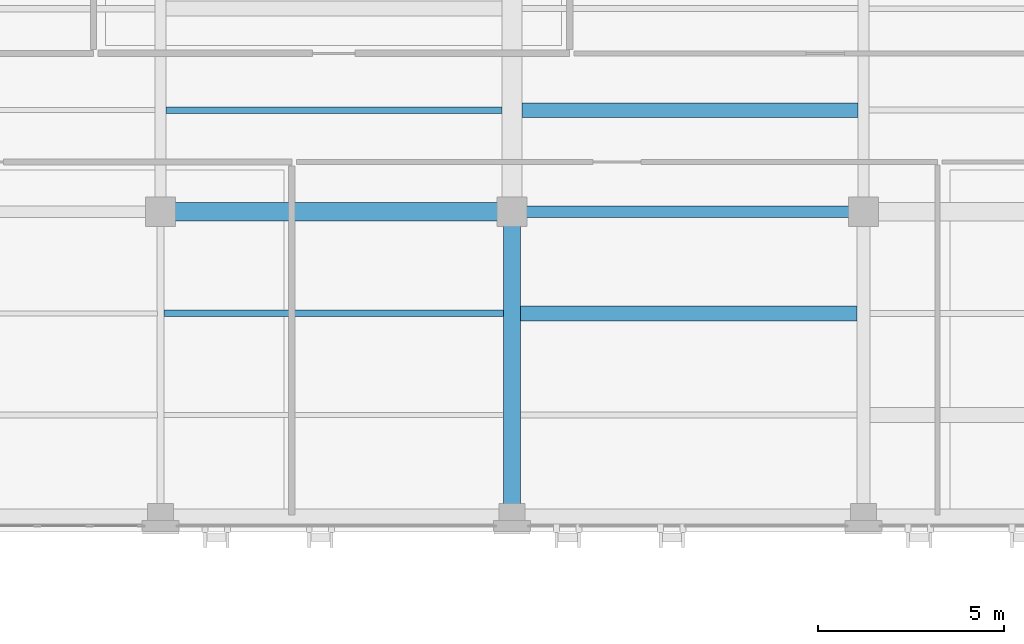
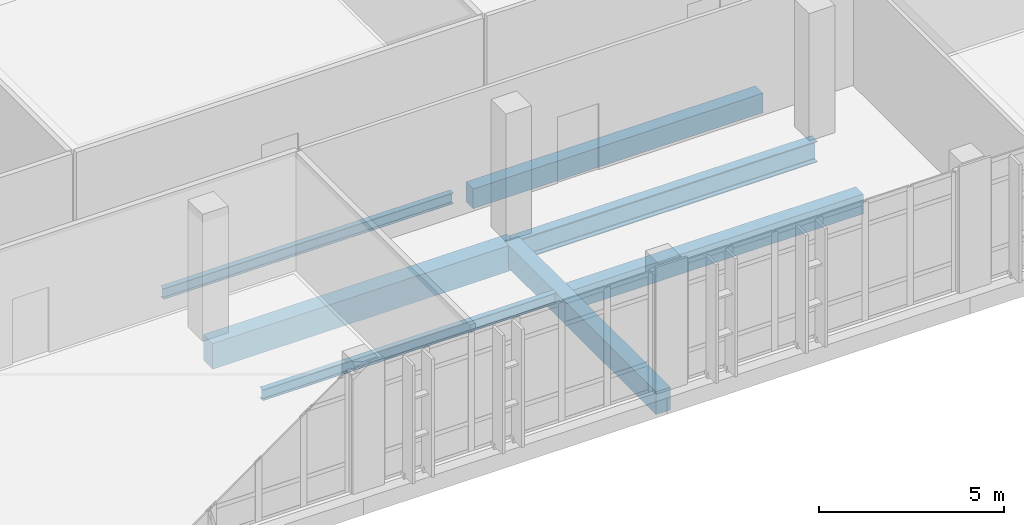
# One storey, part 37 of 165: 7 beams.
"""IFC4 building model written with IfcOpenShell, lengths in metres."""

from ifc_helpers import new_model, si_unit, direction, frame, origin, origin_2d, place, context, subcontext, project, spatial, rectangle, i_section, extrude, material, material_profile, profile_set, type_object, element, save


model = new_model("IFC4")

# Units and contexts
model_context = context("Model", 3, precision=1e-05, world=origin(), true_north=direction((0.0, 1.0)))
body_context = subcontext(model_context, "Body", "Model", "MODEL_VIEW")
ifc_project = project(units=[si_unit("LENGTHUNIT", "METRE"), si_unit("AREAUNIT", "SQUARE_METRE"), si_unit("VOLUMEUNIT", "CUBIC_METRE"), si_unit("PLANEANGLEUNIT", "RADIAN"), si_unit("MASSUNIT", "GRAM", prefix="KILO")], contexts=[model_context])

# Site, building, storey
site_placement = place(None, origin())
site = spatial("IfcSite", under=ifc_project, at=site_placement, CompositionType="ELEMENT")
building_placement = place(site_placement, origin())
building = spatial("IfcBuilding", under=site, at=building_placement, Name="Qalavern Law Courts", CompositionType="ELEMENT")
storey_placement = place(building_placement, frame((0.0, 0.0, 14.39990234375)))
storey = spatial("IfcBuildingStorey", under=building, at=storey_placement, Name="L03", CompositionType="ELEMENT", Elevation=14.39990234375)

# Beams
ifc_material_1 = material(Name="Steel S355", Category="steel")
ifc_material_profile_1 = material_profile(ifc_material_1, i_section(OverallWidth=0.300048828125, OverallDepth=0.699951171875, WebThickness=0.01708984375, FlangeThickness=0.031982421875, FilletRadius=0.027099609375, at=origin_2d()), Name="HEB 700")
ifc_profile_set_1 = profile_set([ifc_material_profile_1], Name="Steel S355")
beam_type_1 = type_object("IfcBeamType", Name="STR-BM-HEB700", PredefinedType="BEAM", material=ifc_profile_set_1)
beam_1_placement = place(storey_placement, frame((72.43701171875, 13.800048828125, -0.635009765625), z_axis=(1.0, 0.0, 0.0), x_axis=(0.0, 1.0, 0.0)))
element("IfcBeam", 1, at=beam_1_placement, inside=storey, type_object=beam_type_1, Name="V2 X-beam 2-5 L03", PredefinedType="BEAM", context=body_context, shape_type="SweptSolid", body=[
    extrude(i_section(OverallWidth=0.300048828125, OverallDepth=0.699951171875, WebThickness=0.01708984375, FlangeThickness=0.031982421875, FilletRadius=0.027099609375, at=origin_2d()), origin(), (0.0, 0.0, 1.0), 9.454345703125),
])
ifc_material_2 = material(Name="Concrete C40/50", Category="concrete")
ifc_material_profile_2 = material_profile(ifc_material_2, rectangle(XDim=0.449951171875, YDim=0.75, at=origin_2d()), Name="RC 450x750")
ifc_profile_set_2 = profile_set([ifc_material_profile_2], Name="Concrete C40/50")
beam_type_2 = type_object("IfcBeamType", Name="STR-BM-RC450x750", PredefinedType="BEAM", material=ifc_profile_set_2)
beam_2_placement = place(storey_placement, frame((72.43701171875, 5.60009765625, -0.659912109375), z_axis=(0.0, 1.0, 0.0), x_axis=(-1.0, 0.0, 0.0)))
element("IfcBeam", 2, at=beam_2_placement, inside=storey, type_object=beam_type_2, Name="V2 Y-beam 5-1 L03", PredefinedType="BEAM", context=body_context, shape_type="SweptSolid", body=[
    extrude(rectangle(XDim=0.449951171875, YDim=0.75, at=origin_2d()), origin(), (0.0, 0.0, 1.0), 8.199951171875),
])
ifc_material_profile_3 = material_profile(ifc_material_2, rectangle(XDim=0.5, YDim=0.85009765625, at=origin_2d()), Name="RC 500x850")
ifc_profile_set_3 = profile_set([ifc_material_profile_3], Name="Concrete C40/50")
beam_type_3 = type_object("IfcBeamType", Name="STR-BM-RC500x850", PredefinedType="BEAM", material=ifc_profile_set_3)
beam_3_placement = place(storey_placement, frame((62.98291015625, 13.800048828125, -0.7099609375), z_axis=(1.0, 0.0, 0.0), x_axis=(0.0, 1.0, 0.0)))
element("IfcBeam", 3, at=beam_3_placement, inside=storey, type_object=beam_type_3, Name="V2 X-beam 2-4 L03", PredefinedType="BEAM", context=body_context, shape_type="SweptSolid", body=[
    extrude(rectangle(XDim=0.5, YDim=0.85009765625, at=origin_2d()), origin(), (0.0, 0.0, 1.0), 9.4541015625),
])
ifc_material_profile_4 = material_profile(ifc_material_1, i_section(OverallWidth=0.169921875, OverallDepth=0.360107421875, WebThickness=0.008056640625, FlangeThickness=0.0126953125, FilletRadius=0.01806640625, at=origin_2d()), Name="IPE 360")
ifc_profile_set_4 = profile_set([ifc_material_profile_4], Name="Steel S355")
beam_type_4 = type_object("IfcBeamType", Name="STR-JST-IPE360", PredefinedType="JOIST", material=ifc_profile_set_4)
beam_4_placement = place(storey_placement, frame((63.07080078125, 11.066650390625, -0.46484375), z_axis=(1.0, 0.0, 0.0), x_axis=(0.0, 1.0, 0.0)))
element("IfcBeam", 4, at=beam_4_placement, inside=storey, type_object=beam_type_4, Name="V2 secondary joist 4.1.2 L03", PredefinedType="JOIST", context=body_context, shape_type="SweptSolid", body=[
    extrude(i_section(OverallWidth=0.169921875, OverallDepth=0.360107421875, WebThickness=0.008056640625, FlangeThickness=0.0126953125, FilletRadius=0.01806640625, at=origin_2d()), origin(), (0.0, 0.0, 1.0), 9.143310546875),
])
beam_5_placement = place(storey_placement, frame((63.130859375, 16.533203125, -0.46484375), z_axis=(1.0, 0.0, 0.0), x_axis=(0.0, 1.0, 0.0)))
element("IfcBeam", 5, at=beam_5_placement, inside=storey, type_object=beam_type_4, Name="V2 secondary joist 4.2.1 L03", PredefinedType="JOIST", context=body_context, shape_type="SweptSolid", body=[
    extrude(i_section(OverallWidth=0.169921875, OverallDepth=0.360107421875, WebThickness=0.008056640625, FlangeThickness=0.0126953125, FilletRadius=0.01806640625, at=origin_2d()), origin(), (0.0, 0.0, 1.0), 9.033203125),
])
ifc_material_3 = material(Name="Concrete C35/45", Category="concrete")
ifc_material_profile_5 = material_profile(ifc_material_3, rectangle(XDim=0.39990234375, YDim=0.64990234375, at=origin_2d()), Name="RC 400x650")
ifc_profile_set_5 = profile_set([ifc_material_profile_5], Name="Concrete C35/45")
beam_type_5 = type_object("IfcBeamType", Name="STR-JST-RC400x650", PredefinedType="JOIST", material=ifc_profile_set_5)
beam_6_placement = place(storey_placement, frame((72.66015625, 11.066650390625, -0.60986328125), z_axis=(1.0, 0.0, 0.0), x_axis=(0.0, 1.0, 0.0)))
element("IfcBeam", 6, at=beam_6_placement, inside=storey, type_object=beam_type_5, Name="V2 secondary joist 5.1.2 L03", PredefinedType="JOIST", context=body_context, shape_type="SweptSolid", body=[
    extrude(rectangle(XDim=0.39990234375, YDim=0.64990234375, at=origin_2d()), origin(), (0.0, 0.0, 1.0), 9.058349609375),
])
beam_7_placement = place(storey_placement, frame((72.710205078125, 16.533203125, -0.60986328125), z_axis=(1.0, 0.0, 0.0), x_axis=(0.0, 1.0, 0.0)))
element("IfcBeam", 7, at=beam_7_placement, inside=storey, type_object=beam_type_5, Name="V2 secondary joist 5.2.1 L03", PredefinedType="JOIST", context=body_context, shape_type="SweptSolid", body=[
    extrude(rectangle(XDim=0.39990234375, YDim=0.64990234375, at=origin_2d()), origin(), (0.0, 0.0, 1.0), 9.033203125),
])

save(model, "model.ifc")
